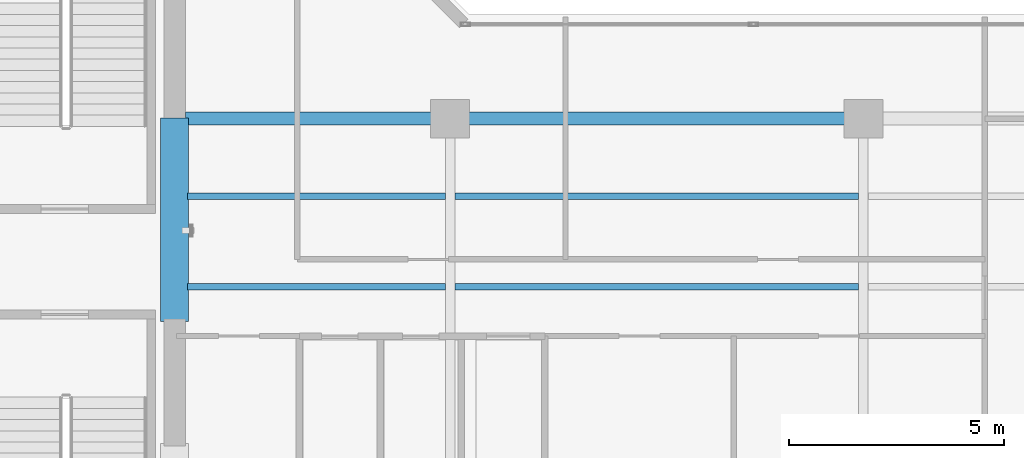
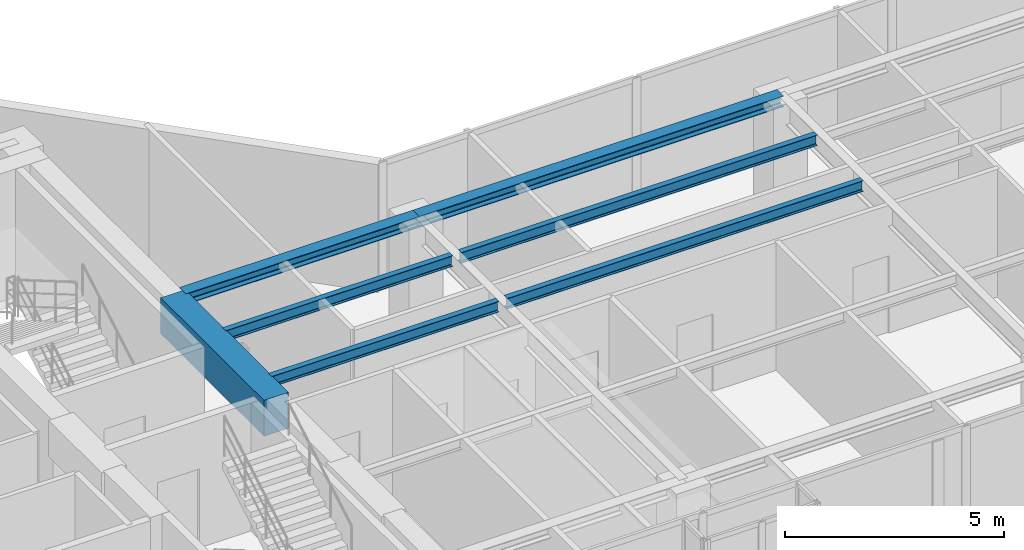
# One storey, part 6 of 22: 7 beams.
"""IFC4 building model written with IfcOpenShell, lengths in metres."""

from ifc_helpers import new_model, si_unit, direction, frame, origin, origin_2d, place, context, subcontext, project, spatial, rectangle, i_section, extrude, material, material_profile, profile_set, type_object, element, save


model = new_model("IFC4")

# Units and contexts
model_context = context("Model", 3, precision=1e-05, world=origin(), true_north=direction((0.0, 1.0)))
body_context = subcontext(model_context, "Body", "Model", "MODEL_VIEW")
ifc_project = project(units=[si_unit("LENGTHUNIT", "METRE"), si_unit("AREAUNIT", "SQUARE_METRE"), si_unit("VOLUMEUNIT", "CUBIC_METRE"), si_unit("PLANEANGLEUNIT", "RADIAN"), si_unit("MASSUNIT", "GRAM", prefix="KILO")], contexts=[model_context])

# Site, building, storey
site_placement = place(None, origin())
site = spatial("IfcSite", under=ifc_project, at=site_placement, CompositionType="ELEMENT")
building_placement = place(site_placement, origin())
building = spatial("IfcBuilding", under=site, at=building_placement, Name="Kolvaren Waterfront Exchange", CompositionType="ELEMENT")
storey_placement = place(building_placement, frame((0.0, 0.0, 323.60009765625)))
storey = spatial("IfcBuildingStorey", under=building, at=storey_placement, Name="L83", CompositionType="ELEMENT", Elevation=323.60009765625)

# Beams
ifc_material_1 = material(Name="Steel S355", Category="steel")
ifc_material_profile_1 = material_profile(ifc_material_1, i_section(OverallWidth=0.300048828125, OverallDepth=0.300048828125, WebThickness=0.010986328125, FlangeThickness=0.01904296875, FilletRadius=0.027099609375, at=origin_2d()), Name="HEB300")
ifc_profile_set_1 = profile_set([ifc_material_profile_1], Name="Steel S355")
beam_type_1 = type_object("IfcBeamType", Name="STR-BM-HEB300", PredefinedType="SPANDREL", material=ifc_profile_set_1)
beam_1_placement = place(storey_placement, frame((21.050048828125, 17.39990234375, 3.409912109375), z_axis=(1.0, 0.0, 0.0), x_axis=(0.0, 1.0, 0.0)))
element("IfcBeam", 1, at=beam_1_placement, inside=storey, type_object=beam_type_1, Name="L83 east-arm spandrel N1", PredefinedType="SPANDREL", context=body_context, shape_type="SweptSolid", body=[
    extrude(i_section(OverallWidth=0.300048828125, OverallDepth=0.300048828125, WebThickness=0.010986328125, FlangeThickness=0.01904296875, FilletRadius=0.027099609375, at=origin_2d()), origin(), (0.0, 0.0, 1.0), 6.14990234375),
])
beam_2_placement = place(storey_placement, frame((27.199951171875, 17.39990234375, 3.409912109375), z_axis=(1.0, 0.0, 0.0), x_axis=(0.0, 1.0, 0.0)))
element("IfcBeam", 2, at=beam_2_placement, inside=storey, type_object=beam_type_1, Name="L83 east-arm spandrel N2", PredefinedType="SPANDREL", context=body_context, shape_type="SweptSolid", body=[
    extrude(i_section(OverallWidth=0.300048828125, OverallDepth=0.300048828125, WebThickness=0.010986328125, FlangeThickness=0.01904296875, FilletRadius=0.027099609375, at=origin_2d()), origin(), (0.0, 0.0, 1.0), 9.60009765625),
])
ifc_material_profile_2 = material_profile(ifc_material_1, i_section(OverallWidth=0.14990234375, OverallDepth=0.300048828125, WebThickness=0.007080078125, FlangeThickness=0.0107421875, FilletRadius=0.014892578125, at=origin_2d()), Name="IPE300")
ifc_profile_set_2 = profile_set([ifc_material_profile_2], Name="Steel S355")
beam_type_2 = type_object("IfcBeamType", Name="STR-BM-IPE300", PredefinedType="JOIST", material=ifc_profile_set_2)
for number, where, z_axis, x_axis, name in (
    (3, (21.10009765625, 13.5, 3.409912109375), (1.0, 0.0, 0.0), (0.0, 1.0, 0.0), "L83 east-arm composite joist 1A"),
    (4, (21.10009765625, 15.60009765625, 3.409912109375), (1.0, 0.0, 0.0), (0.0, 1.0, 0.0), "L83 east-arm composite joist 1C"),
):
    element("IfcBeam", number, at=place(storey_placement, frame(where, z_axis=z_axis, x_axis=x_axis)), inside=storey, type_object=beam_type_2, Name=name, PredefinedType="JOIST", context=body_context, shape_type="SweptSolid", body=[
        extrude(i_section(OverallWidth=0.14990234375, OverallDepth=0.300048828125, WebThickness=0.007080078125, FlangeThickness=0.0107421875, FilletRadius=0.014892578125, at=origin_2d()), origin(), (0.0, 0.0, 1.0), 5.98779296875),
    ])
for number, where, z_axis, x_axis, name in (
    (5, (27.31201171875, 13.5, 3.409912109375), (1.0, 0.0, 0.0), (0.0, 1.0, 0.0), "L83 east-arm composite joist 2A"),
    (6, (27.31201171875, 15.60009765625, 3.409912109375), (1.0, 0.0, 0.0), (0.0, 1.0, 0.0), "L83 east-arm composite joist 2C"),
):
    element("IfcBeam", number, at=place(storey_placement, frame(where, z_axis=z_axis, x_axis=x_axis)), inside=storey, type_object=beam_type_2, Name=name, PredefinedType="JOIST", context=body_context, shape_type="SweptSolid", body=[
        extrude(i_section(OverallWidth=0.14990234375, OverallDepth=0.300048828125, WebThickness=0.007080078125, FlangeThickness=0.0107421875, FilletRadius=0.014892578125, at=origin_2d()), origin(), (0.0, 0.0, 1.0), 9.3759765625),
    ])
ifc_material_2 = material(Name="Concrete C60/75", Category="concrete")
ifc_material_profile_3 = material_profile(ifc_material_2, rectangle(XDim=0.64990234375, YDim=1.0, at=origin_2d()), Name="RC-CB-1000x650")
ifc_profile_set_3 = profile_set([ifc_material_profile_3], Name="Concrete C60/75")
beam_type_3 = type_object("IfcBeamType", Name="STR-CB-1000", PredefinedType="SPANDREL", material=ifc_profile_set_3)
beam_3_placement = place(storey_placement, frame((20.800048828125, 12.68994140625, 3.059814453125), z_axis=(0.0, 1.0, 0.0), x_axis=(-1.0, 0.0, 0.0)))
element("IfcBeam", 7, at=beam_3_placement, inside=storey, type_object=beam_type_3, Name="L83 core coupling beam 2", PredefinedType="SPANDREL", context=body_context, shape_type="SweptSolid", body=[
    extrude(rectangle(XDim=0.64990234375, YDim=1.0, at=origin_2d()), origin(), (0.0, 0.0, 1.0), 4.719970703125),
])

save(model, "model.ifc")
